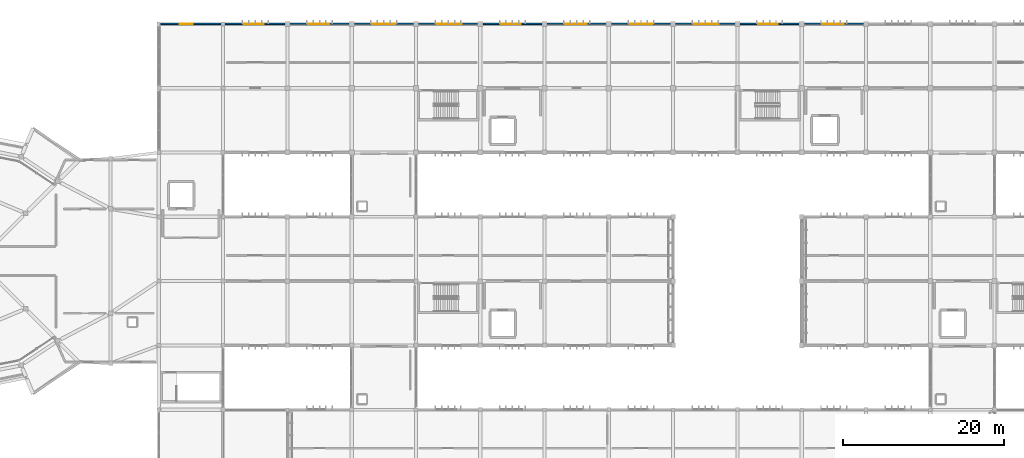
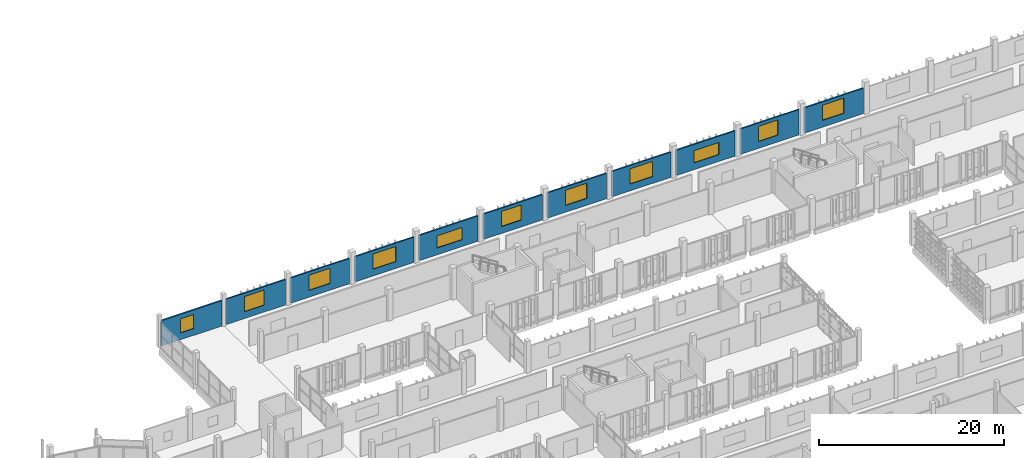
# One storey, part 50 of 63: 11 walls, 11 windows, 11 openings.
"""IFC4 building model written with IfcOpenShell, lengths in metres."""

from ifc_helpers import new_model, si_unit, direction, frame, frame_2d, origin, place, context, subcontext, project, spatial, rectangle, extrude, material, layer, layer_set, type_object, element, fill, save


model = new_model("IFC4")

# Units and contexts
model_context = context("Model", 3, precision=1e-05, world=origin(), true_north=direction((0.0, 1.0)))
body_context = subcontext(model_context, "Body", "Model", "MODEL_VIEW")
ifc_project = project(units=[si_unit("LENGTHUNIT", "METRE"), si_unit("AREAUNIT", "SQUARE_METRE"), si_unit("VOLUMEUNIT", "CUBIC_METRE"), si_unit("PLANEANGLEUNIT", "RADIAN"), si_unit("MASSUNIT", "GRAM", prefix="KILO")], contexts=[model_context])

# Site, building, storey
site_placement = place(None, origin())
site = spatial("IfcSite", under=ifc_project, at=site_placement, CompositionType="ELEMENT")
building_placement = place(site_placement, origin())
building = spatial("IfcBuilding", under=site, at=building_placement, Name="Jelvoka-Kovrelna Polytechnic", CompositionType="ELEMENT")
storey_placement = place(building_placement, frame((0.0, 0.0, 18.0)))
storey = spatial("IfcBuildingStorey", under=building, at=storey_placement, Name="L05", CompositionType="ELEMENT", Elevation=18.0)

# Wall, opening, window
ifc_material_1 = material(Name="Precast concrete C40/50", Category="concrete")
ifc_layer = layer(ifc_material_1, 0.18505859375)
ifc_layer_set = layer_set([ifc_layer], Name="Precast concrete C40/50")
wall_type = type_object("IfcWallType", Name="Wall_Ext_White_260", PredefinedType="STANDARD", material=ifc_layer_set)
wall_1_placement = place(storey_placement, frame((56.2470703125, 72.0, 0.0), z_axis=(0.0, 0.0, 1.0), x_axis=(1.0, 0.0, 0.0)))
wall_1 = element("IfcWall", 1, at=wall_1_placement, inside=storey, type_object=wall_type, Name="L05 exterior wall 0712", PredefinedType="STANDARD", context=body_context, shape_type="SweptSolid", body=[
    extrude(rectangle(XDim=7.455810546875, YDim=0.18505859375, at=frame_2d((3.72802734375, 0.0))), origin(), (0.0, 0.0, 1.0), 3.35009765625),
])
opening_1_placement = place(wall_1_placement, frame((2.3330078125, 0.0, 0.89990234375)))
opening_1 = element("IfcOpeningElement", 2, at=opening_1_placement, cuts=wall_1, Name="Opening W-L05-374", PredefinedType="OPENING", context=body_context, shape_type="SweptSolid", body=[
    extrude(rectangle(XDim=2.449951171875, YDim=2.0, at=frame_2d((1.22509765625, 1.0))), frame((0.0, 0.1025390625, 0.0), z_axis=(0.0, -1.0, 0.0), x_axis=(1.0, 0.0, 0.0)), (0.0, 0.0, 1.0), 0.205078125),
])
ifc_material_2 = material(Name="Thermally broken anodised aluminium and low-e glazing", Category="aluminium")
window_type_1 = type_object("IfcWindowType", Name="Win_Casement_W58", PartitioningType="DOUBLE_PANEL_VERTICAL", PredefinedType="WINDOW", material=ifc_material_2)
window_1_placement = place(opening_1_placement, origin())
window_1 = element("IfcWindow", 3, at=window_1_placement, inside=storey, type_object=window_type_1, Name="L05 aluminium casement window W-L05-374", OverallHeight=2.0, OverallWidth=2.449951171875, PartitioningType="DOUBLE_PANEL_VERTICAL", PredefinedType="WINDOW", context=body_context, shape_type="SweptSolid", body=[
    extrude(rectangle(XDim=2.449951171875, YDim=2.0, at=frame_2d((1.22509765625, 1.0))), frame((0.0, 0.030029296875, 0.0), z_axis=(0.0, -1.0, 0.0), x_axis=(1.0, 0.0, 0.0)), (0.0, 0.0, 1.0), 0.06005859375),
])
fill(opening_1, window_1)

wall_2_placement = place(storey_placement, frame((64.297119140625, 72.0, 0.0), z_axis=(0.0, 0.0, 1.0), x_axis=(1.0, 0.0, 0.0)))
wall_2 = element("IfcWall", 4, at=wall_2_placement, inside=storey, type_object=wall_type, Name="L05 exterior wall 0714", PredefinedType="STANDARD", context=body_context, shape_type="SweptSolid", body=[
    extrude(rectangle(XDim=7.380859375, YDim=0.18505859375, at=frame_2d((3.6904296875, 0.0))), origin(), (0.0, 0.0, 1.0), 3.3349609375),
])
opening_2_placement = place(wall_2_placement, frame((2.282958984375, 0.0, 0.89990234375)))
opening_2 = element("IfcOpeningElement", 5, at=opening_2_placement, cuts=wall_2, Name="Opening W-L05-376", PredefinedType="OPENING", context=body_context, shape_type="SweptSolid", body=[
    extrude(rectangle(XDim=2.64990234375, YDim=2.0, at=frame_2d((1.324951171875, 1.0))), frame((0.0, 0.1025390625, 0.0), z_axis=(0.0, -1.0, 0.0), x_axis=(1.0, 0.0, 0.0)), (0.0, 0.0, 1.0), 0.205078125),
])
ifc_material_3 = material(Name="Thermally broken anodised aluminium and low-e glazing", Category="aluminium")
window_type_2 = type_object("IfcWindowType", Name="Win_Casement_W59", PartitioningType="DOUBLE_PANEL_VERTICAL", PredefinedType="WINDOW", material=ifc_material_3)
window_2_placement = place(opening_2_placement, origin())
window_2 = element("IfcWindow", 6, at=window_2_placement, inside=storey, type_object=window_type_2, Name="L05 aluminium casement window W-L05-376", OverallHeight=2.0, OverallWidth=2.64990234375, PartitioningType="DOUBLE_PANEL_VERTICAL", PredefinedType="WINDOW", context=body_context, shape_type="SweptSolid", body=[
    extrude(rectangle(XDim=2.64990234375, YDim=2.0, at=frame_2d((1.324951171875, 1.0))), frame((0.0, 0.030029296875, 0.0), z_axis=(0.0, -1.0, 0.0), x_axis=(1.0, 0.0, 0.0)), (0.0, 0.0, 1.0), 0.06005859375),
])
fill(opening_2, window_2)

wall_3_placement = place(storey_placement, frame((72.322021484375, 72.0, 0.0), z_axis=(0.0, 0.0, 1.0), x_axis=(1.0, 0.0, 0.0)))
wall_3 = element("IfcWall", 7, at=wall_3_placement, inside=storey, type_object=wall_type, Name="L05 exterior wall 0715", PredefinedType="STANDARD", context=body_context, shape_type="SweptSolid", body=[
    extrude(rectangle(XDim=7.35595703125, YDim=0.18505859375, at=frame_2d((3.677978515625, 0.0))), origin(), (0.0, 0.0, 1.0), 3.3349609375),
])
opening_3_placement = place(wall_3_placement, frame((2.258056640625, 0.0, 0.89990234375)))
opening_3 = element("IfcOpeningElement", 8, at=opening_3_placement, cuts=wall_3, Name="Opening W-L05-377", PredefinedType="OPENING", context=body_context, shape_type="SweptSolid", body=[
    extrude(rectangle(XDim=2.85009765625, YDim=2.0, at=frame_2d((1.425048828125, 1.0))), frame((0.0, 0.1025390625, 0.0), z_axis=(0.0, -1.0, 0.0), x_axis=(1.0, 0.0, 0.0)), (0.0, 0.0, 1.0), 0.205078125),
])
ifc_material_4 = material(Name="Thermally broken anodised aluminium and low-e glazing", Category="aluminium")
window_type_3 = type_object("IfcWindowType", Name="Win_Casement_W60", PartitioningType="DOUBLE_PANEL_VERTICAL", PredefinedType="WINDOW", material=ifc_material_4)
window_3_placement = place(opening_3_placement, origin())
window_3 = element("IfcWindow", 9, at=window_3_placement, inside=storey, type_object=window_type_3, Name="L05 aluminium casement window W-L05-377", OverallHeight=2.0, OverallWidth=2.85009765625, PartitioningType="DOUBLE_PANEL_VERTICAL", PredefinedType="WINDOW", context=body_context, shape_type="SweptSolid", body=[
    extrude(rectangle(XDim=2.85009765625, YDim=2.0, at=frame_2d((1.425048828125, 1.0))), frame((0.0, 0.030029296875, 0.0), z_axis=(0.0, -1.0, 0.0), x_axis=(1.0, 0.0, 0.0)), (0.0, 0.0, 1.0), 0.06005859375),
])
fill(opening_3, window_3)

wall_4_placement = place(storey_placement, frame((80.322021484375, 72.0, 0.0), z_axis=(0.0, 0.0, 1.0), x_axis=(1.0, 0.0, 0.0)))
wall_4 = element("IfcWall", 10, at=wall_4_placement, inside=storey, type_object=wall_type, Name="L05 exterior wall 0717", PredefinedType="STANDARD", context=body_context, shape_type="SweptSolid", body=[
    extrude(rectangle(XDim=7.35595703125, YDim=0.18505859375, at=frame_2d((3.677978515625, 0.0))), origin(), (0.0, 0.0, 1.0), 3.3349609375),
])
opening_4_placement = place(wall_4_placement, frame((2.258056640625, 0.0, 0.89990234375)))
opening_4 = element("IfcOpeningElement", 11, at=opening_4_placement, cuts=wall_4, Name="Opening W-L05-379", PredefinedType="OPENING", context=body_context, shape_type="SweptSolid", body=[
    extrude(rectangle(XDim=3.10009765625, YDim=1.60009765625, at=frame_2d((1.550048828125, 0.800048828125))), frame((0.0, 0.1025390625, 0.0), z_axis=(0.0, -1.0, 0.0), x_axis=(1.0, 0.0, 0.0)), (0.0, 0.0, 1.0), 0.205078125),
])
ifc_material_5 = material(Name="Thermally broken anodised aluminium and low-e glazing", Category="aluminium")
window_type_4 = type_object("IfcWindowType", Name="Win_Casement_W61", PartitioningType="DOUBLE_PANEL_VERTICAL", PredefinedType="WINDOW", material=ifc_material_5)
window_4_placement = place(opening_4_placement, origin())
window_4 = element("IfcWindow", 12, at=window_4_placement, inside=storey, type_object=window_type_4, Name="L05 aluminium casement window W-L05-379", OverallHeight=1.60009765625, OverallWidth=3.10009765625, PartitioningType="DOUBLE_PANEL_VERTICAL", PredefinedType="WINDOW", context=body_context, shape_type="SweptSolid", body=[
    extrude(rectangle(XDim=3.10009765625, YDim=1.60009765625, at=frame_2d((1.550048828125, 0.800048828125))), frame((0.0, 0.030029296875, 0.0), z_axis=(0.0, -1.0, 0.0), x_axis=(1.0, 0.0, 0.0)), (0.0, 0.0, 1.0), 0.06005859375),
])
fill(opening_4, window_4)

wall_5_placement = place(storey_placement, frame((88.322021484375, 72.0, 0.0), z_axis=(0.0, 0.0, 1.0), x_axis=(1.0, 0.0, 0.0)))
wall_5 = element("IfcWall", 13, at=wall_5_placement, inside=storey, type_object=wall_type, Name="L05 exterior wall 0719", PredefinedType="STANDARD", context=body_context, shape_type="SweptSolid", body=[
    extrude(rectangle(XDim=7.35595703125, YDim=0.18505859375, at=frame_2d((3.677978515625, 0.0))), origin(), (0.0, 0.0, 1.0), 3.3349609375),
])
opening_5_placement = place(wall_5_placement, frame((2.258056640625, 0.0, 0.89990234375)))
opening_5 = element("IfcOpeningElement", 14, at=opening_5_placement, cuts=wall_5, Name="Opening W-L05-381", PredefinedType="OPENING", context=body_context, shape_type="SweptSolid", body=[
    extrude(rectangle(XDim=2.449951171875, YDim=2.0, at=frame_2d((1.22509765625, 1.0))), frame((0.0, 0.1025390625, 0.0), z_axis=(0.0, -1.0, 0.0), x_axis=(1.0, 0.0, 0.0)), (0.0, 0.0, 1.0), 0.205078125),
])
window_5_placement = place(opening_5_placement, origin())
window_5 = element("IfcWindow", 15, at=window_5_placement, inside=storey, type_object=window_type_1, Name="L05 aluminium casement window W-L05-381", OverallHeight=2.0, OverallWidth=2.449951171875, PartitioningType="DOUBLE_PANEL_VERTICAL", PredefinedType="WINDOW", context=body_context, shape_type="SweptSolid", body=[
    extrude(rectangle(XDim=2.449951171875, YDim=2.0, at=frame_2d((1.22509765625, 1.0))), frame((0.0, 0.030029296875, 0.0), z_axis=(0.0, -1.0, 0.0), x_axis=(1.0, 0.0, 0.0)), (0.0, 0.0, 1.0), 0.06005859375),
])
fill(opening_5, window_5)

wall_6_placement = place(storey_placement, frame((96.322021484375, 72.0, 0.0), z_axis=(0.0, 0.0, 1.0), x_axis=(1.0, 0.0, 0.0)))
wall_6 = element("IfcWall", 16, at=wall_6_placement, inside=storey, type_object=wall_type, Name="L05 exterior wall 0721", PredefinedType="STANDARD", context=body_context, shape_type="SweptSolid", body=[
    extrude(rectangle(XDim=7.35595703125, YDim=0.18505859375, at=frame_2d((3.677978515625, 0.0))), origin(), (0.0, 0.0, 1.0), 3.3349609375),
])
opening_6_placement = place(wall_6_placement, frame((2.258056640625, 0.0, 0.89990234375)))
opening_6 = element("IfcOpeningElement", 17, at=opening_6_placement, cuts=wall_6, Name="Opening W-L05-383", PredefinedType="OPENING", context=body_context, shape_type="SweptSolid", body=[
    extrude(rectangle(XDim=2.64990234375, YDim=2.0, at=frame_2d((1.324951171875, 1.0))), frame((0.0, 0.1025390625, 0.0), z_axis=(0.0, -1.0, 0.0), x_axis=(1.0, 0.0, 0.0)), (0.0, 0.0, 1.0), 0.205078125),
])
window_6_placement = place(opening_6_placement, origin())
window_6 = element("IfcWindow", 18, at=window_6_placement, inside=storey, type_object=window_type_2, Name="L05 aluminium casement window W-L05-383", OverallHeight=2.0, OverallWidth=2.64990234375, PartitioningType="DOUBLE_PANEL_VERTICAL", PredefinedType="WINDOW", context=body_context, shape_type="SweptSolid", body=[
    extrude(rectangle(XDim=2.64990234375, YDim=2.0, at=frame_2d((1.324951171875, 1.0))), frame((0.0, 0.030029296875, 0.0), z_axis=(0.0, -1.0, 0.0), x_axis=(1.0, 0.0, 0.0)), (0.0, 0.0, 1.0), 0.06005859375),
])
fill(opening_6, window_6)

wall_7_placement = place(storey_placement, frame((104.322021484375, 72.0, 0.0), z_axis=(0.0, 0.0, 1.0), x_axis=(1.0, 0.0, 0.0)))
wall_7 = element("IfcWall", 19, at=wall_7_placement, inside=storey, type_object=wall_type, Name="L05 exterior wall 0723", PredefinedType="STANDARD", context=body_context, shape_type="SweptSolid", body=[
    extrude(rectangle(XDim=7.35595703125, YDim=0.18505859375, at=frame_2d((3.677978515625, 0.0))), origin(), (0.0, 0.0, 1.0), 3.3349609375),
])
opening_7_placement = place(wall_7_placement, frame((2.258056640625, 0.0, 0.89990234375)))
opening_7 = element("IfcOpeningElement", 20, at=opening_7_placement, cuts=wall_7, Name="Opening W-L05-385", PredefinedType="OPENING", context=body_context, shape_type="SweptSolid", body=[
    extrude(rectangle(XDim=2.85009765625, YDim=2.0, at=frame_2d((1.425048828125, 1.0))), frame((0.0, 0.1025390625, 0.0), z_axis=(0.0, -1.0, 0.0), x_axis=(1.0, 0.0, 0.0)), (0.0, 0.0, 1.0), 0.205078125),
])
window_7_placement = place(opening_7_placement, origin())
window_7 = element("IfcWindow", 21, at=window_7_placement, inside=storey, type_object=window_type_3, Name="L05 aluminium casement window W-L05-385", OverallHeight=2.0, OverallWidth=2.85009765625, PartitioningType="DOUBLE_PANEL_VERTICAL", PredefinedType="WINDOW", context=body_context, shape_type="SweptSolid", body=[
    extrude(rectangle(XDim=2.85009765625, YDim=2.0, at=frame_2d((1.425048828125, 1.0))), frame((0.0, 0.030029296875, 0.0), z_axis=(0.0, -1.0, 0.0), x_axis=(1.0, 0.0, 0.0)), (0.0, 0.0, 1.0), 0.06005859375),
])
fill(opening_7, window_7)

wall_8_placement = place(storey_placement, frame((112.322021484375, 72.0, 0.0), z_axis=(0.0, 0.0, 1.0), x_axis=(1.0, 0.0, 0.0)))
wall_8 = element("IfcWall", 22, at=wall_8_placement, inside=storey, type_object=wall_type, Name="L05 exterior wall 0725", PredefinedType="STANDARD", context=body_context, shape_type="SweptSolid", body=[
    extrude(rectangle(XDim=7.35595703125, YDim=0.18505859375, at=frame_2d((3.677978515625, 0.0))), origin(), (0.0, 0.0, 1.0), 3.3349609375),
])
opening_8_placement = place(wall_8_placement, frame((2.258056640625, 0.0, 0.89990234375)))
opening_8 = element("IfcOpeningElement", 23, at=opening_8_placement, cuts=wall_8, Name="Opening W-L05-387", PredefinedType="OPENING", context=body_context, shape_type="SweptSolid", body=[
    extrude(rectangle(XDim=3.10009765625, YDim=1.60009765625, at=frame_2d((1.550048828125, 0.800048828125))), frame((0.0, 0.1025390625, 0.0), z_axis=(0.0, -1.0, 0.0), x_axis=(1.0, 0.0, 0.0)), (0.0, 0.0, 1.0), 0.205078125),
])
window_8_placement = place(opening_8_placement, origin())
window_8 = element("IfcWindow", 24, at=window_8_placement, inside=storey, type_object=window_type_4, Name="L05 aluminium casement window W-L05-387", OverallHeight=1.60009765625, OverallWidth=3.10009765625, PartitioningType="DOUBLE_PANEL_VERTICAL", PredefinedType="WINDOW", context=body_context, shape_type="SweptSolid", body=[
    extrude(rectangle(XDim=3.10009765625, YDim=1.60009765625, at=frame_2d((1.550048828125, 0.800048828125))), frame((0.0, 0.030029296875, 0.0), z_axis=(0.0, -1.0, 0.0), x_axis=(1.0, 0.0, 0.0)), (0.0, 0.0, 1.0), 0.06005859375),
])
fill(opening_8, window_8)

wall_9_placement = place(storey_placement, frame((120.322021484375, 72.0, 0.0), z_axis=(0.0, 0.0, 1.0), x_axis=(1.0, 0.0, 0.0)))
wall_9 = element("IfcWall", 25, at=wall_9_placement, inside=storey, type_object=wall_type, Name="L05 exterior wall 0727", PredefinedType="STANDARD", context=body_context, shape_type="SweptSolid", body=[
    extrude(rectangle(XDim=7.35595703125, YDim=0.18505859375, at=frame_2d((3.677978515625, 0.0))), origin(), (0.0, 0.0, 1.0), 3.3349609375),
])
opening_9_placement = place(wall_9_placement, frame((2.258056640625, 0.0, 0.89990234375)))
opening_9 = element("IfcOpeningElement", 26, at=opening_9_placement, cuts=wall_9, Name="Opening W-L05-389", PredefinedType="OPENING", context=body_context, shape_type="SweptSolid", body=[
    extrude(rectangle(XDim=2.449951171875, YDim=2.0, at=frame_2d((1.22509765625, 1.0))), frame((0.0, 0.1025390625, 0.0), z_axis=(0.0, -1.0, 0.0), x_axis=(1.0, 0.0, 0.0)), (0.0, 0.0, 1.0), 0.205078125),
])
window_9_placement = place(opening_9_placement, origin())
window_9 = element("IfcWindow", 27, at=window_9_placement, inside=storey, type_object=window_type_1, Name="L05 aluminium casement window W-L05-389", OverallHeight=2.0, OverallWidth=2.449951171875, PartitioningType="DOUBLE_PANEL_VERTICAL", PredefinedType="WINDOW", context=body_context, shape_type="SweptSolid", body=[
    extrude(rectangle(XDim=2.449951171875, YDim=2.0, at=frame_2d((1.22509765625, 1.0))), frame((0.0, 0.030029296875, 0.0), z_axis=(0.0, -1.0, 0.0), x_axis=(1.0, 0.0, 0.0)), (0.0, 0.0, 1.0), 0.06005859375),
])
fill(opening_9, window_9)

wall_10_placement = place(storey_placement, frame((128.322021484375, 72.0, 0.0), z_axis=(0.0, 0.0, 1.0), x_axis=(1.0, 0.0, 0.0)))
wall_10 = element("IfcWall", 28, at=wall_10_placement, inside=storey, type_object=wall_type, Name="L05 exterior wall 0729", PredefinedType="STANDARD", context=body_context, shape_type="SweptSolid", body=[
    extrude(rectangle(XDim=7.35595703125, YDim=0.18505859375, at=frame_2d((3.677978515625, 0.0))), origin(), (0.0, 0.0, 1.0), 3.3349609375),
])
opening_10_placement = place(wall_10_placement, frame((2.258056640625, 0.0, 0.89990234375)))
opening_10 = element("IfcOpeningElement", 29, at=opening_10_placement, cuts=wall_10, Name="Opening W-L05-391", PredefinedType="OPENING", context=body_context, shape_type="SweptSolid", body=[
    extrude(rectangle(XDim=2.64990234375, YDim=2.0, at=frame_2d((1.324951171875, 1.0))), frame((0.0, 0.1025390625, 0.0), z_axis=(0.0, -1.0, 0.0), x_axis=(1.0, 0.0, 0.0)), (0.0, 0.0, 1.0), 0.205078125),
])
window_10_placement = place(opening_10_placement, origin())
window_10 = element("IfcWindow", 30, at=window_10_placement, inside=storey, type_object=window_type_2, Name="L05 aluminium casement window W-L05-391", OverallHeight=2.0, OverallWidth=2.64990234375, PartitioningType="DOUBLE_PANEL_VERTICAL", PredefinedType="WINDOW", context=body_context, shape_type="SweptSolid", body=[
    extrude(rectangle(XDim=2.64990234375, YDim=2.0, at=frame_2d((1.324951171875, 1.0))), frame((0.0, 0.030029296875, 0.0), z_axis=(0.0, -1.0, 0.0), x_axis=(1.0, 0.0, 0.0)), (0.0, 0.0, 1.0), 0.06005859375),
])
fill(opening_10, window_10)

wall_11_placement = place(storey_placement, frame((48.221923828125, 72.0, 0.0), z_axis=(0.0, 0.0, 1.0), x_axis=(1.0, 0.0, 0.0)))
wall_11 = element("IfcWall", 31, at=wall_11_placement, inside=storey, type_object=wall_type, Name="L05 exterior wall 0858", PredefinedType="STANDARD", context=body_context, shape_type="SweptSolid", body=[
    extrude(rectangle(XDim=7.531005859375, YDim=0.18505859375, at=frame_2d((3.765625, 0.0))), origin(), (0.0, 0.0, 1.0), 3.35009765625),
])
opening_11_placement = place(wall_11_placement, frame((2.35791015625, 0.0, 0.89990234375)))
opening_11 = element("IfcOpeningElement", 32, at=opening_11_placement, cuts=wall_11, Name="Opening W-L05-499", PredefinedType="OPENING", context=body_context, shape_type="SweptSolid", body=[
    extrude(rectangle(XDim=1.64990234375, YDim=1.85009765625, at=frame_2d((0.824951171875, 0.925048828125))), frame((0.0, 0.1025390625, 0.0), z_axis=(0.0, -1.0, 0.0), x_axis=(1.0, 0.0, 0.0)), (0.0, 0.0, 1.0), 0.205078125),
])
ifc_material_6 = material(Name="Thermally broken anodised aluminium and low-e glazing", Category="aluminium")
window_type_5 = type_object("IfcWindowType", Name="Win_Casement_W44", PartitioningType="DOUBLE_PANEL_VERTICAL", PredefinedType="WINDOW", material=ifc_material_6)
window_11_placement = place(opening_11_placement, origin())
window_11 = element("IfcWindow", 33, at=window_11_placement, inside=storey, type_object=window_type_5, Name="L05 aluminium casement window W-L05-499", OverallHeight=1.85009765625, OverallWidth=1.64990234375, PartitioningType="DOUBLE_PANEL_VERTICAL", PredefinedType="WINDOW", context=body_context, shape_type="SweptSolid", body=[
    extrude(rectangle(XDim=1.64990234375, YDim=1.85009765625, at=frame_2d((0.824951171875, 0.925048828125))), frame((0.0, 0.030029296875, 0.0), z_axis=(0.0, -1.0, 0.0), x_axis=(1.0, 0.0, 0.0)), (0.0, 0.0, 1.0), 0.06005859375),
])
fill(opening_11, window_11)

save(model, "model.ifc")
